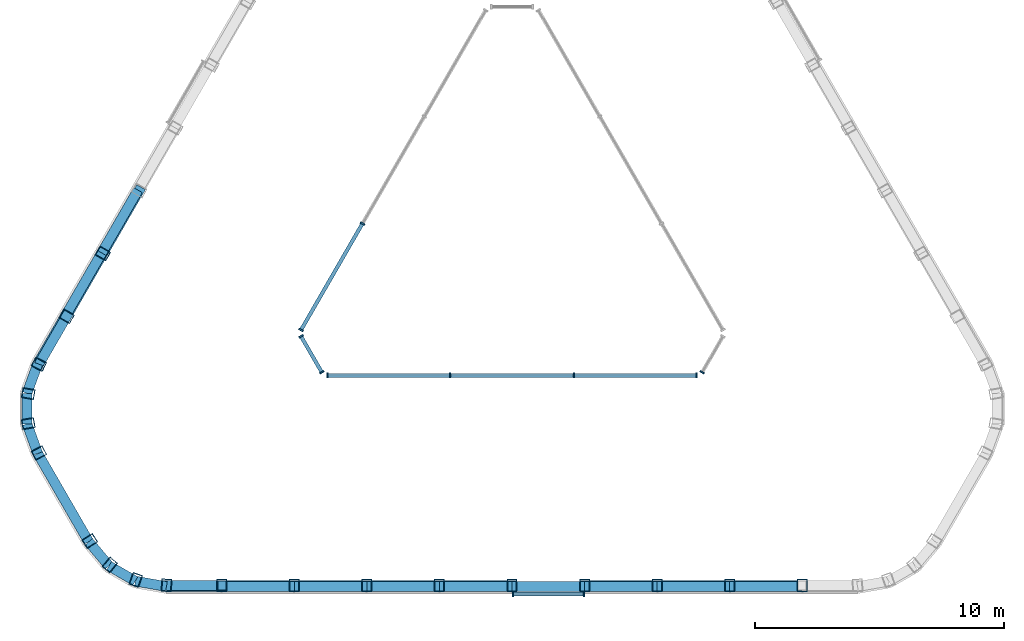
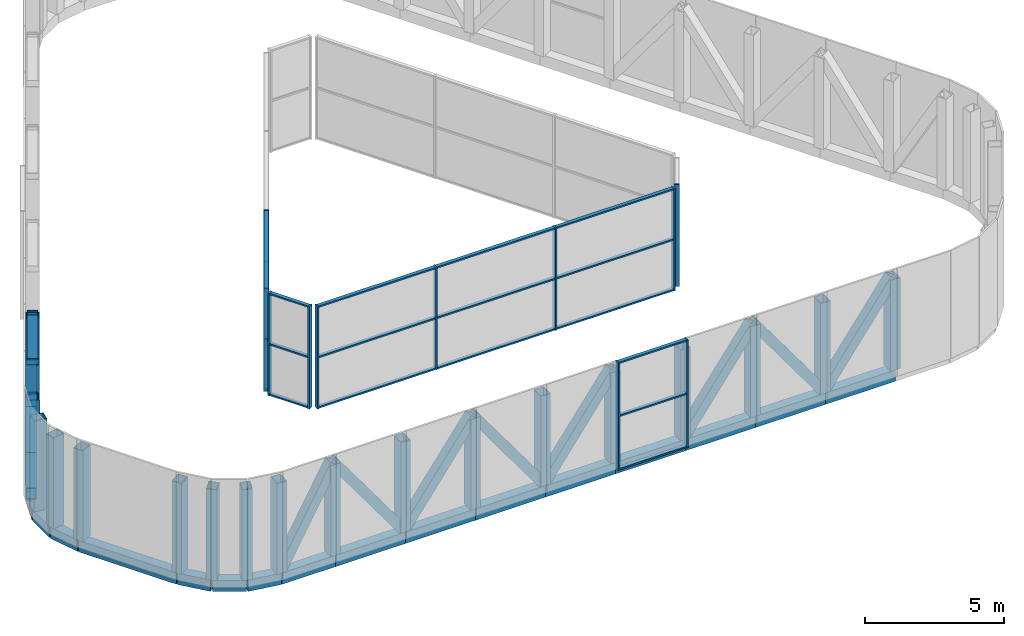
# One storey, part 1 of 5: 78 members, 5 elements without a shape of their own.
"""IFC4 building model written with IfcOpenShell, lengths in metres."""

from ifc_helpers import new_model, si_unit, direction, frame, origin, origin_2d, place, context, subcontext, project, spatial, rectangle, hollow_rectangle, extrude, material, layer, layer_set, material_profile, profile_set, type_object, element, aggregate, save


model = new_model("IFC4")

# Units and contexts
model_context = context("Model", 3, precision=1e-05, world=origin(), true_north=direction((0.0, 1.0)))
body_context = subcontext(model_context, "Body", "Model", "MODEL_VIEW")
ifc_project = project(units=[si_unit("LENGTHUNIT", "METRE"), si_unit("AREAUNIT", "SQUARE_METRE"), si_unit("VOLUMEUNIT", "CUBIC_METRE"), si_unit("PLANEANGLEUNIT", "RADIAN"), si_unit("MASSUNIT", "GRAM", prefix="KILO")], contexts=[model_context])

# Site, building, storey
site_placement = place(None, origin())
site = spatial("IfcSite", under=ifc_project, at=site_placement, CompositionType="ELEMENT")
building_placement = place(site_placement, origin())
building = spatial("IfcBuilding", under=site, at=building_placement, Name="Apuvela Tower Hotel", CompositionType="ELEMENT")
storey_placement = place(building_placement, frame((0.0, 0.0, 366.800048828125)))
storey = spatial("IfcBuildingStorey", under=building, at=storey_placement, Name="R-6 ROOF", CompositionType="ELEMENT", Elevation=366.800048828125)

# Members
ifc_material_1 = material(Name="Steel S355, black paint system", Category="steel")
ifc_material_profile_1 = material_profile(ifc_material_1, hollow_rectangle(XDim=0.39990234375, YDim=0.39990234375, WallThickness=0.01611328125, at=origin_2d()), Name="HSS 400x400x16")
ifc_profile_set_1 = profile_set([ifc_material_profile_1], Name="Steel S355, black paint system")
member_type_1 = type_object("IfcMemberType", Name="ENV-CROWN-BRACE-400x400", PredefinedType="BRACE", material=ifc_profile_set_1)
for number, where, z_axis, x_axis, name in (
    (1, (-14.972412109375, 1.91943359375, 0.25), (-0.294292360305, -0.509682392621, 0.808465129315), (0.866005469285, -0.500034525977, 0.0), "Crown frame brace 14"),
    (2, (-17.884521484375, -3.124267578125, 0.25), (0.294284958722, 0.509718917438, 0.80844479606), (-0.866026430432, 0.49999822179, 0.0), "Crown frame brace 15"),
):
    element("IfcMember", number, at=place(storey_placement, frame(where, z_axis=z_axis, x_axis=x_axis)), inside=storey, type_object=member_type_1, Name=name, PredefinedType="BRACE", context=body_context, shape_type="SweptSolid", body=[
        extrude(hollow_rectangle(XDim=0.39990234375, YDim=0.39990234375, WallThickness=0.01611328125, at=origin_2d()), origin(), (0.0, 0.0, 1.0), 4.94775390625),
    ])
member_1_placement = place(storey_placement, frame((-17.884521484375, -3.124267578125, 0.25), z_axis=(-0.242893162774, -0.420755188842, 0.874052620006), x_axis=(0.866052104262, -0.499953750565, 0.0)))
element("IfcMember", 3, at=member_1_placement, inside=storey, type_object=member_type_1, Name="Crown frame brace 16", PredefinedType="BRACE", context=body_context, shape_type="SweptSolid", body=[
    extrude(hollow_rectangle(XDim=0.39990234375, YDim=0.39990234375, WallThickness=0.01611328125, at=origin_2d()), origin(), (0.0, 0.0, 1.0), 4.576416015625),
])
member_2_placement = place(storey_placement, frame((-13.87109375, -13.92626953125, 0.25), z_axis=(0.485796931429, 0.0, 0.874071702673), x_axis=(0.0, 1.0, 0.0)))
element("IfcMember", 4, at=member_2_placement, inside=storey, type_object=member_type_1, Name="Crown frame brace 24", PredefinedType="BRACE", context=body_context, shape_type="SweptSolid", body=[
    extrude(hollow_rectangle(XDim=0.39990234375, YDim=0.39990234375, WallThickness=0.01611328125, at=origin_2d()), origin(), (0.0, 0.0, 1.0), 4.576171875),
])
member_3_placement = place(storey_placement, frame((-8.73583984375, -13.92626953125, 0.25), z_axis=(-0.588570642565, 0.0, 0.808445792067), x_axis=(0.0, -1.0, 0.0)))
element("IfcMember", 5, at=member_3_placement, inside=storey, type_object=member_type_1, Name="Crown frame brace 25", PredefinedType="BRACE", context=body_context, shape_type="SweptSolid", body=[
    extrude(hollow_rectangle(XDim=0.39990234375, YDim=0.39990234375, WallThickness=0.01611328125, at=origin_2d()), origin(), (0.0, 0.0, 1.0), 4.94775390625),
])
for number, where, z_axis, x_axis, name in (
    (6, (-8.73583984375, -13.92626953125, 0.25), (0.588538390933, 0.0, 0.808469271153), (0.0, 1.0, 0.0), "Crown frame brace 26"),
    (7, (-2.912109375, -13.92626953125, 0.25), (-0.588538390933, 0.0, 0.808469271153), (0.0, -1.0, 0.0), "Crown frame brace 27"),
):
    element("IfcMember", number, at=place(storey_placement, frame(where, z_axis=z_axis, x_axis=x_axis)), inside=storey, type_object=member_type_1, Name=name, PredefinedType="BRACE", context=body_context, shape_type="SweptSolid", body=[
        extrude(hollow_rectangle(XDim=0.39990234375, YDim=0.39990234375, WallThickness=0.01611328125, at=origin_2d()), origin(), (0.0, 0.0, 1.0), 4.947509765625),
    ])
member_4_placement = place(storey_placement, frame((-2.912109375, -13.92626953125, 0.25), z_axis=(0.588570642565, 0.0, 0.808445792067), x_axis=(0.0, 1.0, 0.0)))
element("IfcMember", 8, at=member_4_placement, inside=storey, type_object=member_type_1, Name="Crown frame brace 28", PredefinedType="BRACE", context=body_context, shape_type="SweptSolid", body=[
    extrude(hollow_rectangle(XDim=0.39990234375, YDim=0.39990234375, WallThickness=0.01611328125, at=origin_2d()), origin(), (0.0, 0.0, 1.0), 4.94775390625),
])
for number, where, z_axis, x_axis, name in (
    (9, (2.912109375, -13.92626953125, 0.25), (0.588538390933, 0.0, 0.808469271153), (0.0, 1.0, 0.0), "Crown frame brace 30"),
    (10, (8.73583984375, -13.92626953125, 0.25), (-0.588538390933, 0.0, 0.808469271153), (0.0, -1.0, 0.0), "Crown frame brace 31"),
):
    element("IfcMember", number, at=place(storey_placement, frame(where, z_axis=z_axis, x_axis=x_axis)), inside=storey, type_object=member_type_1, Name=name, PredefinedType="BRACE", context=body_context, shape_type="SweptSolid", body=[
        extrude(hollow_rectangle(XDim=0.39990234375, YDim=0.39990234375, WallThickness=0.01611328125, at=origin_2d()), origin(), (0.0, 0.0, 1.0), 4.947509765625),
    ])
member_5_placement = place(storey_placement, frame((8.73583984375, -13.92626953125, 0.25), z_axis=(0.588570642565, 0.0, 0.808445792067), x_axis=(0.0, 1.0, 0.0)))
element("IfcMember", 11, at=member_5_placement, inside=storey, type_object=member_type_1, Name="Crown frame brace 32", PredefinedType="BRACE", context=body_context, shape_type="SweptSolid", body=[
    extrude(hollow_rectangle(XDim=0.39990234375, YDim=0.39990234375, WallThickness=0.01611328125, at=origin_2d()), origin(), (0.0, 0.0, 1.0), 4.94775390625),
])
ifc_material_profile_2 = material_profile(ifc_material_1, hollow_rectangle(XDim=0.39990234375, YDim=0.5, WallThickness=0.02001953125, at=origin_2d()), Name="HSS 500x400x20")
ifc_profile_set_2 = profile_set([ifc_material_profile_2], Name="Steel S355, black paint system")
member_type_2 = type_object("IfcMemberType", Name="ENV-CROWN-POST-500x400", PredefinedType="POST", material=ifc_profile_set_2)
for number, where, z_axis, x_axis, name in (
    (12, (-16.428466796875, -0.602294921875, 0.25), (0.0, 0.0, 1.0), (-0.5, -0.866025403784, 0.0), "Crown frame post 15"),
    (13, (-17.884521484375, -3.124267578125, 0.25), (0.0, 0.0, 1.0), (-0.5, -0.866025403784, 0.0), "Crown frame post 16"),
    (14, (-18.99609375, -5.0498046875, 0.25), (0.0, 0.0, 1.0), (-0.444553885133, -0.895752110359, 0.0), "Crown frame post 17"),
    (15, (-19.42529296875, -6.229248046875, 0.25), (0.0, 0.0, 1.0), (-0.177414537484, -0.984136211045, 0.0), "Crown frame post 18"),
    (16, (-19.42529296875, -7.43115234375, 0.25), (0.0, 0.0, 1.0), (0.177414537484, -0.984136211045, 0.0), "Crown frame post 19"),
    (17, (-18.99609375, -8.610595703125, 0.25), (0.0, 0.0, 1.0), (0.464115596815, -0.885774639958, 0.0), "Crown frame post 20"),
    (18, (-16.955078125, -12.145751953125, 0.25), (0.0, 0.0, 1.0), (0.535045541825, -0.844823217113, 0.0), "Crown frame post 21"),
    (19, (-16.148193359375, -13.107421875, 0.25), (0.0, 0.0, 1.0), (0.763579690807, -0.645713601984, 0.0), "Crown frame post 22"),
    (20, (-15.107421875, -13.708251953125, 0.25), (0.0, 0.0, 1.0), (0.940994228291, -0.33842260906, 0.0), "Crown frame post 23"),
    (21, (-13.87109375, -13.92626953125, 0.25), (0.0, 0.0, 1.0), (0.998021025631, -0.062881097303, 0.0), "Crown frame post 24"),
    (22, (-11.64794921875, -13.92626953125, 0.25), (0.0, 0.0, 1.0), (1.0, 0.0, 0.0), "Crown frame post 25"),
    (23, (-8.73583984375, -13.92626953125, 0.25), (0.0, 0.0, 1.0), (1.0, 0.0, 0.0), "Crown frame post 26"),
    (24, (-5.823974609375, -13.92626953125, 0.25), (0.0, 0.0, 1.0), (1.0, 0.0, 0.0), "Crown frame post 27"),
    (25, (-2.912109375, -13.92626953125, 0.25), (0.0, 0.0, 1.0), (1.0, 0.0, 0.0), "Crown frame post 28"),
    (26, (0.0, -13.92626953125, 0.25), (0.0, 0.0, 1.0), (1.0, 0.0, 0.0), "Crown frame post 29"),
    (27, (2.912109375, -13.92626953125, 0.25), (0.0, 0.0, 1.0), (1.0, 0.0, 0.0), "Crown frame post 30"),
    (28, (5.823974609375, -13.92626953125, 0.25), (0.0, 0.0, 1.0), (1.0, 0.0, 0.0), "Crown frame post 31"),
    (29, (8.73583984375, -13.92626953125, 0.25), (0.0, 0.0, 1.0), (1.0, 0.0, 0.0), "Crown frame post 32"),
    (30, (11.64794921875, -13.92626953125, 0.25), (0.0, 0.0, 1.0), (1.0, 0.0, 0.0), "Crown frame post 33"),
):
    element("IfcMember", number, at=place(storey_placement, frame(where, z_axis=z_axis, x_axis=x_axis)), inside=storey, type_object=member_type_2, Name=name, PredefinedType="POST", context=body_context, shape_type="SweptSolid", body=[
        extrude(hollow_rectangle(XDim=0.39990234375, YDim=0.5, WallThickness=0.02001953125, at=origin_2d()), origin(), (0.0, 0.0, 1.0), 4.0),
    ])
ifc_material_profile_3 = material_profile(ifc_material_1, hollow_rectangle(XDim=0.39990234375, YDim=0.5, WallThickness=0.01611328125, at=origin_2d()), Name="HSS 500x400x16")
ifc_profile_set_3 = profile_set([ifc_material_profile_3], Name="Steel S355, black paint system")
member_type_3 = type_object("IfcMemberType", Name="ENV-CROWN-RING-500x400", PredefinedType="STRINGER", material=ifc_profile_set_3)
member_6_placement = place(storey_placement, frame((-15.0166015625, 1.94287109375, 0.0), z_axis=(-0.500015065024, -0.866016705814, 0.0), x_axis=(0.866016705814, -0.500015065024, 0.0)))
element("IfcMember", 31, at=member_6_placement, inside=storey, type_object=member_type_3, Name="Crown frame ring beam 6.14", PredefinedType="STRINGER", context=body_context, shape_type="SweptSolid", body=[
    extrude(hollow_rectangle(XDim=0.39990234375, YDim=0.5, WallThickness=0.01611328125, at=origin_2d()), origin(), (0.0, 0.0, 1.0), 2.9130859375),
])
member_7_placement = place(storey_placement, frame((-16.47314453125, -0.579833984375, 0.0), z_axis=(-0.499952204256, -0.866052996912, 0.0), x_axis=(0.866052996912, -0.499952204256, 0.0)))
element("IfcMember", 32, at=member_7_placement, inside=storey, type_object=member_type_3, Name="Crown frame ring beam 6.15", PredefinedType="STRINGER", context=body_context, shape_type="SweptSolid", body=[
    extrude(hollow_rectangle(XDim=0.39990234375, YDim=0.5, WallThickness=0.01611328125, at=origin_2d()), origin(), (0.0, 0.0, 1.0), 2.912841796875),
])
member_8_placement = place(storey_placement, frame((-17.929443359375, -3.1025390625, 0.0), z_axis=(-0.500023359282, -0.866011916877, 0.0), x_axis=(0.866011916877, -0.500023359282, 0.0)))
element("IfcMember", 33, at=member_8_placement, inside=storey, type_object=member_type_3, Name="Crown frame ring beam 6.16", PredefinedType="STRINGER", context=body_context, shape_type="SweptSolid", body=[
    extrude(hollow_rectangle(XDim=0.39990234375, YDim=0.5, WallThickness=0.01611328125, at=origin_2d()), origin(), (0.0, 0.0, 1.0), 2.22412109375),
])
member_9_placement = place(storey_placement, frame((-19.04150390625, -5.028564453125, 0.0), z_axis=(-0.34203668354, -0.939686600475, 0.0), x_axis=(0.939686600475, -0.34203668354, 0.0)))
element("IfcMember", 34, at=member_9_placement, inside=storey, type_object=member_type_3, Name="Crown frame ring beam 6.17", PredefinedType="STRINGER", context=body_context, shape_type="SweptSolid", body=[
    extrude(hollow_rectangle(XDim=0.39990234375, YDim=0.5, WallThickness=0.01611328125, at=origin_2d()), origin(), (0.0, 0.0, 1.0), 1.268310546875),
])
member_10_placement = place(storey_placement, frame((-19.475341796875, -6.220458984375, 0.0), z_axis=(0.0, -1.0, 0.0), x_axis=(1.0, 0.0, 0.0)))
element("IfcMember", 35, at=member_10_placement, inside=storey, type_object=member_type_3, Name="Crown frame ring beam 6.18", PredefinedType="STRINGER", context=body_context, shape_type="SweptSolid", body=[
    extrude(hollow_rectangle(XDim=0.39990234375, YDim=0.5, WallThickness=0.01611328125, at=origin_2d()), origin(), (0.0, 0.0, 1.0), 1.219482421875),
])
member_11_placement = place(storey_placement, frame((-19.475341796875, -7.43994140625, 0.0), z_axis=(0.34203668354, -0.939686600475, 0.0), x_axis=(0.939686600475, 0.34203668354, 0.0)))
element("IfcMember", 36, at=member_11_placement, inside=storey, type_object=member_type_3, Name="Crown frame ring beam 6.19", PredefinedType="STRINGER", context=body_context, shape_type="SweptSolid", body=[
    extrude(hollow_rectangle(XDim=0.39990234375, YDim=0.5, WallThickness=0.01611328125, at=origin_2d()), origin(), (0.0, 0.0, 1.0), 1.268310546875),
])
member_12_placement = place(storey_placement, frame((-19.04150390625, -8.6318359375, 0.0), z_axis=(0.500003144135, -0.86602358851, 0.0), x_axis=(0.86602358851, 0.500003144135, 0.0)))
element("IfcMember", 37, at=member_12_placement, inside=storey, type_object=member_type_3, Name="Crown frame ring beam 6.20", PredefinedType="STRINGER", context=body_context, shape_type="SweptSolid", body=[
    extrude(hollow_rectangle(XDim=0.39990234375, YDim=0.5, WallThickness=0.01611328125, at=origin_2d()), origin(), (0.0, 0.0, 1.0), 4.0908203125),
])
member_13_placement = place(storey_placement, frame((-16.99609375, -12.174560546875, 0.0), z_axis=(0.642717965607, -0.766102876046, 0.0), x_axis=(0.766102876046, 0.642717965607, 0.0)))
element("IfcMember", 38, at=member_13_placement, inside=storey, type_object=member_type_3, Name="Crown frame ring beam 6.21", PredefinedType="STRINGER", context=body_context, shape_type="SweptSolid", body=[
    extrude(hollow_rectangle(XDim=0.39990234375, YDim=0.5, WallThickness=0.01611328125, at=origin_2d()), origin(), (0.0, 0.0, 1.0), 1.268310546875),
])
member_14_placement = place(storey_placement, frame((-16.180908203125, -13.146240234375, 0.0), z_axis=(0.866078909804, -0.499907313403, 0.0), x_axis=(0.499907313403, 0.866078909804, 0.0)))
element("IfcMember", 39, at=member_14_placement, inside=storey, type_object=member_type_3, Name="Crown frame ring beam 6.22", PredefinedType="STRINGER", context=body_context, shape_type="SweptSolid", body=[
    extrude(hollow_rectangle(XDim=0.39990234375, YDim=0.5, WallThickness=0.01611328125, at=origin_2d()), origin(), (0.0, 0.0, 1.0), 1.219482421875),
])
member_15_placement = place(storey_placement, frame((-15.124755859375, -13.755859375, 0.0), z_axis=(0.984783558818, -0.173785333909, 0.0), x_axis=(0.173785333909, 0.984783558818, 0.0)))
element("IfcMember", 40, at=member_15_placement, inside=storey, type_object=member_type_3, Name="Crown frame ring beam 6.23", PredefinedType="STRINGER", context=body_context, shape_type="SweptSolid", body=[
    extrude(hollow_rectangle(XDim=0.39990234375, YDim=0.5, WallThickness=0.01611328125, at=origin_2d()), origin(), (0.0, 0.0, 1.0), 1.2685546875),
])
member_16_placement = place(storey_placement, frame((-13.87548828125, -13.976318359375, 0.0), z_axis=(1.0, 0.0, 0.0), x_axis=(0.0, 1.0, 0.0)))
element("IfcMember", 41, at=member_16_placement, inside=storey, type_object=member_type_3, Name="Crown frame ring beam 6.24", PredefinedType="STRINGER", context=body_context, shape_type="SweptSolid", body=[
    extrude(hollow_rectangle(XDim=0.39990234375, YDim=0.5, WallThickness=0.01611328125, at=origin_2d()), origin(), (0.0, 0.0, 1.0), 2.223876953125),
])
member_17_placement = place(storey_placement, frame((-11.651611328125, -13.976318359375, 0.0), z_axis=(1.0, 0.0, 0.0), x_axis=(0.0, 1.0, 0.0)))
element("IfcMember", 42, at=member_17_placement, inside=storey, type_object=member_type_3, Name="Crown frame ring beam 6.25", PredefinedType="STRINGER", context=body_context, shape_type="SweptSolid", body=[
    extrude(hollow_rectangle(XDim=0.39990234375, YDim=0.5, WallThickness=0.01611328125, at=origin_2d()), origin(), (0.0, 0.0, 1.0), 2.912841796875),
])
member_18_placement = place(storey_placement, frame((-8.73876953125, -13.976318359375, 0.0), z_axis=(1.0, 0.0, 0.0), x_axis=(0.0, 1.0, 0.0)))
element("IfcMember", 43, at=member_18_placement, inside=storey, type_object=member_type_3, Name="Crown frame ring beam 6.26", PredefinedType="STRINGER", context=body_context, shape_type="SweptSolid", body=[
    extrude(hollow_rectangle(XDim=0.39990234375, YDim=0.5, WallThickness=0.01611328125, at=origin_2d()), origin(), (0.0, 0.0, 1.0), 2.9130859375),
])
for number, where, z_axis, x_axis, name in (
    (44, (-5.82568359375, -13.976318359375, 0.0), (1.0, 0.0, 0.0), (0.0, 1.0, 0.0), "Crown frame ring beam 6.27"),
    (45, (-2.912841796875, -13.976318359375, 0.0), (1.0, 0.0, 0.0), (0.0, 1.0, 0.0), "Crown frame ring beam 6.28"),
    (46, (0.0, -13.976318359375, 0.0), (1.0, 0.0, 0.0), (0.0, 1.0, 0.0), "Crown frame ring beam 6.29"),
    (47, (2.912841796875, -13.976318359375, 0.0), (1.0, 0.0, 0.0), (0.0, 1.0, 0.0), "Crown frame ring beam 6.30"),
):
    element("IfcMember", number, at=place(storey_placement, frame(where, z_axis=z_axis, x_axis=x_axis)), inside=storey, type_object=member_type_3, Name=name, PredefinedType="STRINGER", context=body_context, shape_type="SweptSolid", body=[
        extrude(hollow_rectangle(XDim=0.39990234375, YDim=0.5, WallThickness=0.01611328125, at=origin_2d()), origin(), (0.0, 0.0, 1.0), 2.912841796875),
    ])
member_19_placement = place(storey_placement, frame((5.82568359375, -13.976318359375, 0.0), z_axis=(1.0, 0.0, 0.0), x_axis=(0.0, 1.0, 0.0)))
element("IfcMember", 48, at=member_19_placement, inside=storey, type_object=member_type_3, Name="Crown frame ring beam 6.31", PredefinedType="STRINGER", context=body_context, shape_type="SweptSolid", body=[
    extrude(hollow_rectangle(XDim=0.39990234375, YDim=0.5, WallThickness=0.01611328125, at=origin_2d()), origin(), (0.0, 0.0, 1.0), 2.9130859375),
])
member_20_placement = place(storey_placement, frame((8.73876953125, -13.976318359375, 0.0), z_axis=(1.0, 0.0, 0.0), x_axis=(0.0, 1.0, 0.0)))
element("IfcMember", 49, at=member_20_placement, inside=storey, type_object=member_type_3, Name="Crown frame ring beam 6.32", PredefinedType="STRINGER", context=body_context, shape_type="SweptSolid", body=[
    extrude(hollow_rectangle(XDim=0.39990234375, YDim=0.5, WallThickness=0.01611328125, at=origin_2d()), origin(), (0.0, 0.0, 1.0), 2.912841796875),
])

# Curtain wall, members
ifc_material_2 = material(Name="Aluminium 6063-T6, dark bronze anodised", Category="aluminium")
ifc_layer_1 = layer(ifc_material_2, 0.199951171875)
ifc_layer_set_1 = layer_set([ifc_layer_1], Name="ENV-CW-C")
curtain_wall_type_1 = type_object("IfcCurtainWallType", Name="ENV-CW-C", PredefinedType="NOTDEFINED", material=ifc_layer_set_1)
curtain_wall_1_placement = place(storey_placement, origin())
curtain_wall_1 = element("IfcCurtainWall", 50, at=curtain_wall_1_placement, inside=storey, type_object=curtain_wall_type_1, Name="Crown glazing 29 R-6 ROOF", PredefinedType="NOTDEFINED")
ifc_material_profile_4 = material_profile(ifc_material_2, rectangle(XDim=0.199951171875, YDim=0.06494140625, at=origin_2d()), Name="AL 65x200")
ifc_profile_set_4 = profile_set([ifc_material_profile_4], Name="Aluminium 6063-T6, dark bronze anodised")
member_type_4 = type_object("IfcMemberType", Name="ENV-MULLION-65x200", PredefinedType="MULLION", material=ifc_profile_set_4)
member_21_placement = place(storey_placement, frame((0.032470703125, -14.276123046875, 0.0), z_axis=(0.0, 0.0, 1.0), x_axis=(0.0, 1.0, 0.0)))
member_21 = element("IfcMember", 51, at=member_21_placement, type_object=member_type_4, Name="CW-C mullion 1", PredefinedType="MULLION", context=body_context, shape_type="SweptSolid", body=[
    extrude(rectangle(XDim=0.199951171875, YDim=0.06494140625, at=origin_2d()), origin(), (0.0, 0.0, 1.0), 4.75),
])
member_22_placement = place(storey_placement, frame((2.884765625, -14.276123046875, 0.0), z_axis=(0.0, 0.0, 1.0), x_axis=(0.0, 1.0, 0.0)))
member_22 = element("IfcMember", 52, at=member_22_placement, type_object=member_type_4, Name="CW-C mullion 2", PredefinedType="MULLION", context=body_context, shape_type="SweptSolid", body=[
    extrude(rectangle(XDim=0.199951171875, YDim=0.06494140625, at=origin_2d()), origin(), (0.0, 0.0, 1.0), 4.75),
])

ifc_layer_2 = layer(ifc_material_2, 0.199951171875)
ifc_layer_set_2 = layer_set([ifc_layer_2], Name="ENV-CW-A")
curtain_wall_type_2 = type_object("IfcCurtainWallType", Name="ENV-CW-A", PredefinedType="NOTDEFINED", material=ifc_layer_set_2)
curtain_wall_2_placement = place(storey_placement, origin())
curtain_wall_2 = element("IfcCurtainWall", 53, at=curtain_wall_2_placement, inside=storey, type_object=curtain_wall_type_2, Name="Atrium glazing 2 R-6 ROOF", PredefinedType="NOTDEFINED")
member_23_placement = place(storey_placement, frame((-6.00439453125, 0.60009765625, 0.0), z_axis=(0.0, 0.0, 1.0), x_axis=(0.866025940778, -0.499999069899, 0.0)))
member_23 = element("IfcMember", 54, at=member_23_placement, type_object=member_type_4, Name="CW-A mullion 3", PredefinedType="MULLION", context=body_context, shape_type="SweptSolid", body=[
    extrude(rectangle(XDim=0.199951171875, YDim=0.06494140625, at=origin_2d()), origin(), (0.0, 0.0, 1.0), 4.5),
])
member_24_placement = place(storey_placement, frame((-8.470703125, -3.671875, 0.0), z_axis=(0.0, 0.0, 1.0), x_axis=(0.866025940778, -0.499999069899, 0.0)))
member_24 = element("IfcMember", 55, at=member_24_placement, type_object=member_type_4, Name="CW-A mullion 4", PredefinedType="MULLION", context=body_context, shape_type="SweptSolid", body=[
    extrude(rectangle(XDim=0.199951171875, YDim=0.06494140625, at=origin_2d()), origin(), (0.0, 0.0, 1.0), 4.5),
])

curtain_wall_3_placement = place(storey_placement, origin())
curtain_wall_3 = element("IfcCurtainWall", 56, at=curtain_wall_3_placement, inside=storey, type_object=curtain_wall_type_2, Name="Atrium glazing 3 R-6 ROOF", PredefinedType="NOTDEFINED")
member_25_placement = place(storey_placement, frame((-8.470703125, -3.92822265625, 0.0), z_axis=(0.0, 0.0, 1.0), x_axis=(0.866031754706, 0.49998899972, 0.0)))
member_25 = element("IfcMember", 57, at=member_25_placement, type_object=member_type_4, Name="CW-A mullion 1", PredefinedType="MULLION", context=body_context, shape_type="SweptSolid", body=[
    extrude(rectangle(XDim=0.199951171875, YDim=0.06494140625, at=origin_2d()), origin(), (0.0, 0.0, 1.0), 4.5),
])
member_26_placement = place(storey_placement, frame((-7.63720703125, -5.371826171875, 0.0), z_axis=(0.0, 0.0, 1.0), x_axis=(0.866031754706, 0.49998899972, 0.0)))
member_26 = element("IfcMember", 58, at=member_26_placement, type_object=member_type_4, Name="CW-A mullion 2", PredefinedType="MULLION", context=body_context, shape_type="SweptSolid", body=[
    extrude(rectangle(XDim=0.199951171875, YDim=0.06494140625, at=origin_2d()), origin(), (0.0, 0.0, 1.0), 4.5),
])

curtain_wall_4_placement = place(storey_placement, origin())
curtain_wall_4 = element("IfcCurtainWall", 59, at=curtain_wall_4_placement, inside=storey, type_object=curtain_wall_type_2, Name="Atrium glazing 4 R-6 ROOF", PredefinedType="NOTDEFINED")
member_27_placement = place(storey_placement, frame((-7.415283203125, -5.5, 0.0), z_axis=(0.0, 0.0, 1.0), x_axis=(0.0, 1.0, 0.0)))
member_27 = element("IfcMember", 60, at=member_27_placement, type_object=member_type_4, Name="CW-A mullion 1", PredefinedType="MULLION", context=body_context, shape_type="SweptSolid", body=[
    extrude(rectangle(XDim=0.199951171875, YDim=0.06494140625, at=origin_2d()), origin(), (0.0, 0.0, 1.0), 4.5),
])
member_28_placement = place(storey_placement, frame((-2.482666015625, -5.5, 0.0), z_axis=(0.0, 0.0, 1.0), x_axis=(0.0, 1.0, 0.0)))
member_28 = element("IfcMember", 61, at=member_28_placement, type_object=member_type_4, Name="CW-A mullion 2", PredefinedType="MULLION", context=body_context, shape_type="SweptSolid", body=[
    extrude(rectangle(XDim=0.199951171875, YDim=0.06494140625, at=origin_2d()), origin(), (0.0, 0.0, 1.0), 4.5),
])
member_29_placement = place(storey_placement, frame((2.482666015625, -5.5, 0.0), z_axis=(0.0, 0.0, 1.0), x_axis=(0.0, 1.0, 0.0)))
member_29 = element("IfcMember", 62, at=member_29_placement, type_object=member_type_4, Name="CW-A mullion 3", PredefinedType="MULLION", context=body_context, shape_type="SweptSolid", body=[
    extrude(rectangle(XDim=0.199951171875, YDim=0.06494140625, at=origin_2d()), origin(), (0.0, 0.0, 1.0), 4.5),
])
member_30_placement = place(storey_placement, frame((7.415283203125, -5.5, 0.0), z_axis=(0.0, 0.0, 1.0), x_axis=(0.0, 1.0, 0.0)))
member_30 = element("IfcMember", 63, at=member_30_placement, type_object=member_type_4, Name="CW-A mullion 4", PredefinedType="MULLION", context=body_context, shape_type="SweptSolid", body=[
    extrude(rectangle(XDim=0.199951171875, YDim=0.06494140625, at=origin_2d()), origin(), (0.0, 0.0, 1.0), 4.5),
])

# Curtain wall, member
curtain_wall_5_placement = place(storey_placement, origin())
curtain_wall_5 = element("IfcCurtainWall", 64, at=curtain_wall_5_placement, inside=storey, type_object=curtain_wall_type_2, Name="Atrium glazing 5 R-6 ROOF", PredefinedType="NOTDEFINED")
member_31_placement = place(storey_placement, frame((7.63720703125, -5.371826171875, 0.0), z_axis=(0.0, 0.0, 1.0), x_axis=(-0.866031754706, 0.49998899972, 0.0)))
member_31 = element("IfcMember", 65, at=member_31_placement, type_object=member_type_4, Name="CW-A mullion 1", PredefinedType="MULLION", context=body_context, shape_type="SweptSolid", body=[
    extrude(rectangle(XDim=0.199951171875, YDim=0.06494140625, at=origin_2d()), origin(), (0.0, 0.0, 1.0), 4.5),
])
aggregate(curtain_wall_5, [member_31])

# Member
ifc_material_profile_5 = material_profile(ifc_material_2, rectangle(XDim=0.14990234375, YDim=0.06494140625, at=origin_2d()), Name="AL 65x150 transom")
ifc_profile_set_5 = profile_set([ifc_material_profile_5], Name="Aluminium 6063-T6, dark bronze anodised")
member_type_5 = type_object("IfcMemberType", Name="ENV-TRANSOM-65x150", PredefinedType="USERDEFINED", material=ifc_profile_set_5)
member_32_placement = place(storey_placement, frame((0.06494140625, -14.276123046875, 0.032470703125), z_axis=(1.0, 0.0, 0.0), x_axis=(0.0, 1.0, 0.0)))
member_32 = element("IfcMember", 66, at=member_32_placement, type_object=member_type_5, Name="CW-C transom 1.1", ObjectType="TRANSOM", PredefinedType="USERDEFINED", context=body_context, shape_type="SweptSolid", body=[
    extrude(rectangle(XDim=0.14990234375, YDim=0.06494140625, at=origin_2d()), origin(), (0.0, 0.0, 1.0), 2.787353515625),
])

member_33_placement = place(storey_placement, frame((0.06494140625, -14.276123046875, 2.375), z_axis=(1.0, 0.0, 0.0), x_axis=(0.0, 1.0, 0.0)))
member_33 = element("IfcMember", 67, at=member_33_placement, type_object=member_type_5, Name="CW-C transom 1.2", ObjectType="TRANSOM", PredefinedType="USERDEFINED", context=body_context, shape_type="SweptSolid", body=[
    extrude(rectangle(XDim=0.14990234375, YDim=0.06494140625, at=origin_2d()), origin(), (0.0, 0.0, 1.0), 2.787353515625),
])

member_34_placement = place(storey_placement, frame((0.06494140625, -14.276123046875, 4.717529296875), z_axis=(1.0, 0.0, 0.0), x_axis=(0.0, 1.0, 0.0)))
member_34 = element("IfcMember", 68, at=member_34_placement, type_object=member_type_5, Name="CW-C transom 1.3", ObjectType="TRANSOM", PredefinedType="USERDEFINED", context=body_context, shape_type="SweptSolid", body=[
    extrude(rectangle(XDim=0.14990234375, YDim=0.06494140625, at=origin_2d()), origin(), (0.0, 0.0, 1.0), 2.787353515625),
])

aggregate(curtain_wall_1, [member_21, member_22, member_32, member_33, member_34])

member_35_placement = place(storey_placement, frame((-6.020751953125, 0.57177734375, 0.032470703125), z_axis=(-0.49999597136, -0.866027729709, 0.0), x_axis=(0.866027729709, -0.49999597136, 0.0)))
member_35 = element("IfcMember", 69, at=member_35_placement, type_object=member_type_5, Name="CW-A transom 3.1", ObjectType="TRANSOM", PredefinedType="USERDEFINED", context=body_context, shape_type="SweptSolid", body=[
    extrude(rectangle(XDim=0.14990234375, YDim=0.06494140625, at=origin_2d()), origin(), (0.0, 0.0, 1.0), 4.86767578125),
])

member_36_placement = place(storey_placement, frame((-6.020751953125, 0.57177734375, 2.25), z_axis=(-0.49999597136, -0.866027729709, 0.0), x_axis=(0.866027729709, -0.49999597136, 0.0)))
member_36 = element("IfcMember", 70, at=member_36_placement, type_object=member_type_5, Name="CW-A transom 3.2", ObjectType="TRANSOM", PredefinedType="USERDEFINED", context=body_context, shape_type="SweptSolid", body=[
    extrude(rectangle(XDim=0.14990234375, YDim=0.06494140625, at=origin_2d()), origin(), (0.0, 0.0, 1.0), 4.86767578125),
])

member_37_placement = place(storey_placement, frame((-6.020751953125, 0.57177734375, 4.467529296875), z_axis=(-0.49999597136, -0.866027729709, 0.0), x_axis=(0.866027729709, -0.49999597136, 0.0)))
member_37 = element("IfcMember", 71, at=member_37_placement, type_object=member_type_5, Name="CW-A transom 3.3", ObjectType="TRANSOM", PredefinedType="USERDEFINED", context=body_context, shape_type="SweptSolid", body=[
    extrude(rectangle(XDim=0.14990234375, YDim=0.06494140625, at=origin_2d()), origin(), (0.0, 0.0, 1.0), 4.86767578125),
])

aggregate(curtain_wall_2, [member_23, member_24, member_35, member_36, member_37])

member_38_placement = place(storey_placement, frame((-8.45458984375, -3.956298828125, 0.032470703125), z_axis=(0.499990676028, -0.866030786915, 0.0), x_axis=(0.866030786915, 0.499990676028, 0.0)))
member_38 = element("IfcMember", 72, at=member_38_placement, type_object=member_type_5, Name="CW-A transom 1.1", ObjectType="TRANSOM", PredefinedType="USERDEFINED", context=body_context, shape_type="SweptSolid", body=[
    extrude(rectangle(XDim=0.14990234375, YDim=0.06494140625, at=origin_2d()), origin(), (0.0, 0.0, 1.0), 1.60205078125),
])

member_39_placement = place(storey_placement, frame((-8.45458984375, -3.956298828125, 2.25), z_axis=(0.499990676028, -0.866030786915, 0.0), x_axis=(0.866030786915, 0.499990676028, 0.0)))
member_39 = element("IfcMember", 73, at=member_39_placement, type_object=member_type_5, Name="CW-A transom 1.2", ObjectType="TRANSOM", PredefinedType="USERDEFINED", context=body_context, shape_type="SweptSolid", body=[
    extrude(rectangle(XDim=0.14990234375, YDim=0.06494140625, at=origin_2d()), origin(), (0.0, 0.0, 1.0), 1.60205078125),
])

member_40_placement = place(storey_placement, frame((-8.45458984375, -3.956298828125, 4.467529296875), z_axis=(0.499990676028, -0.866030786915, 0.0), x_axis=(0.866030786915, 0.499990676028, 0.0)))
member_40 = element("IfcMember", 74, at=member_40_placement, type_object=member_type_5, Name="CW-A transom 1.3", ObjectType="TRANSOM", PredefinedType="USERDEFINED", context=body_context, shape_type="SweptSolid", body=[
    extrude(rectangle(XDim=0.14990234375, YDim=0.06494140625, at=origin_2d()), origin(), (0.0, 0.0, 1.0), 1.60205078125),
])

aggregate(curtain_wall_3, [member_25, member_26, member_38, member_39, member_40])

member_41_placement = place(storey_placement, frame((-7.3828125, -5.5, 0.032470703125), z_axis=(1.0, 0.0, 0.0), x_axis=(0.0, 1.0, 0.0)))
member_41 = element("IfcMember", 75, at=member_41_placement, type_object=member_type_5, Name="CW-A transom 1.1", ObjectType="TRANSOM", PredefinedType="USERDEFINED", context=body_context, shape_type="SweptSolid", body=[
    extrude(rectangle(XDim=0.14990234375, YDim=0.06494140625, at=origin_2d()), origin(), (0.0, 0.0, 1.0), 4.86767578125),
])

member_42_placement = place(storey_placement, frame((-7.3828125, -5.5, 2.25), z_axis=(1.0, 0.0, 0.0), x_axis=(0.0, 1.0, 0.0)))
member_42 = element("IfcMember", 76, at=member_42_placement, type_object=member_type_5, Name="CW-A transom 1.2", ObjectType="TRANSOM", PredefinedType="USERDEFINED", context=body_context, shape_type="SweptSolid", body=[
    extrude(rectangle(XDim=0.14990234375, YDim=0.06494140625, at=origin_2d()), origin(), (0.0, 0.0, 1.0), 4.86767578125),
])

member_43_placement = place(storey_placement, frame((-7.3828125, -5.5, 4.467529296875), z_axis=(1.0, 0.0, 0.0), x_axis=(0.0, 1.0, 0.0)))
member_43 = element("IfcMember", 77, at=member_43_placement, type_object=member_type_5, Name="CW-A transom 1.3", ObjectType="TRANSOM", PredefinedType="USERDEFINED", context=body_context, shape_type="SweptSolid", body=[
    extrude(rectangle(XDim=0.14990234375, YDim=0.06494140625, at=origin_2d()), origin(), (0.0, 0.0, 1.0), 4.86767578125),
])

member_44_placement = place(storey_placement, frame((-2.4501953125, -5.5, 0.032470703125), z_axis=(1.0, 0.0, 0.0), x_axis=(0.0, 1.0, 0.0)))
member_44 = element("IfcMember", 78, at=member_44_placement, type_object=member_type_5, Name="CW-A transom 2.1", ObjectType="TRANSOM", PredefinedType="USERDEFINED", context=body_context, shape_type="SweptSolid", body=[
    extrude(rectangle(XDim=0.14990234375, YDim=0.06494140625, at=origin_2d()), origin(), (0.0, 0.0, 1.0), 4.900390625),
])

member_45_placement = place(storey_placement, frame((-2.4501953125, -5.5, 2.25), z_axis=(1.0, 0.0, 0.0), x_axis=(0.0, 1.0, 0.0)))
member_45 = element("IfcMember", 79, at=member_45_placement, type_object=member_type_5, Name="CW-A transom 2.2", ObjectType="TRANSOM", PredefinedType="USERDEFINED", context=body_context, shape_type="SweptSolid", body=[
    extrude(rectangle(XDim=0.14990234375, YDim=0.06494140625, at=origin_2d()), origin(), (0.0, 0.0, 1.0), 4.900390625),
])

member_46_placement = place(storey_placement, frame((-2.4501953125, -5.5, 4.467529296875), z_axis=(1.0, 0.0, 0.0), x_axis=(0.0, 1.0, 0.0)))
member_46 = element("IfcMember", 80, at=member_46_placement, type_object=member_type_5, Name="CW-A transom 2.3", ObjectType="TRANSOM", PredefinedType="USERDEFINED", context=body_context, shape_type="SweptSolid", body=[
    extrude(rectangle(XDim=0.14990234375, YDim=0.06494140625, at=origin_2d()), origin(), (0.0, 0.0, 1.0), 4.900390625),
])

member_47_placement = place(storey_placement, frame((2.51513671875, -5.5, 0.032470703125), z_axis=(1.0, 0.0, 0.0), x_axis=(0.0, 1.0, 0.0)))
member_47 = element("IfcMember", 81, at=member_47_placement, type_object=member_type_5, Name="CW-A transom 3.1", ObjectType="TRANSOM", PredefinedType="USERDEFINED", context=body_context, shape_type="SweptSolid", body=[
    extrude(rectangle(XDim=0.14990234375, YDim=0.06494140625, at=origin_2d()), origin(), (0.0, 0.0, 1.0), 4.86767578125),
])

member_48_placement = place(storey_placement, frame((2.51513671875, -5.5, 2.25), z_axis=(1.0, 0.0, 0.0), x_axis=(0.0, 1.0, 0.0)))
member_48 = element("IfcMember", 82, at=member_48_placement, type_object=member_type_5, Name="CW-A transom 3.2", ObjectType="TRANSOM", PredefinedType="USERDEFINED", context=body_context, shape_type="SweptSolid", body=[
    extrude(rectangle(XDim=0.14990234375, YDim=0.06494140625, at=origin_2d()), origin(), (0.0, 0.0, 1.0), 4.86767578125),
])

member_49_placement = place(storey_placement, frame((2.51513671875, -5.5, 4.467529296875), z_axis=(1.0, 0.0, 0.0), x_axis=(0.0, 1.0, 0.0)))
member_49 = element("IfcMember", 83, at=member_49_placement, type_object=member_type_5, Name="CW-A transom 3.3", ObjectType="TRANSOM", PredefinedType="USERDEFINED", context=body_context, shape_type="SweptSolid", body=[
    extrude(rectangle(XDim=0.14990234375, YDim=0.06494140625, at=origin_2d()), origin(), (0.0, 0.0, 1.0), 4.86767578125),
])

aggregate(curtain_wall_4, [member_27, member_28, member_29, member_30, member_41, member_42, member_43, member_44, member_45, member_46, member_47, member_48, member_49])

save(model, "model.ifc")
